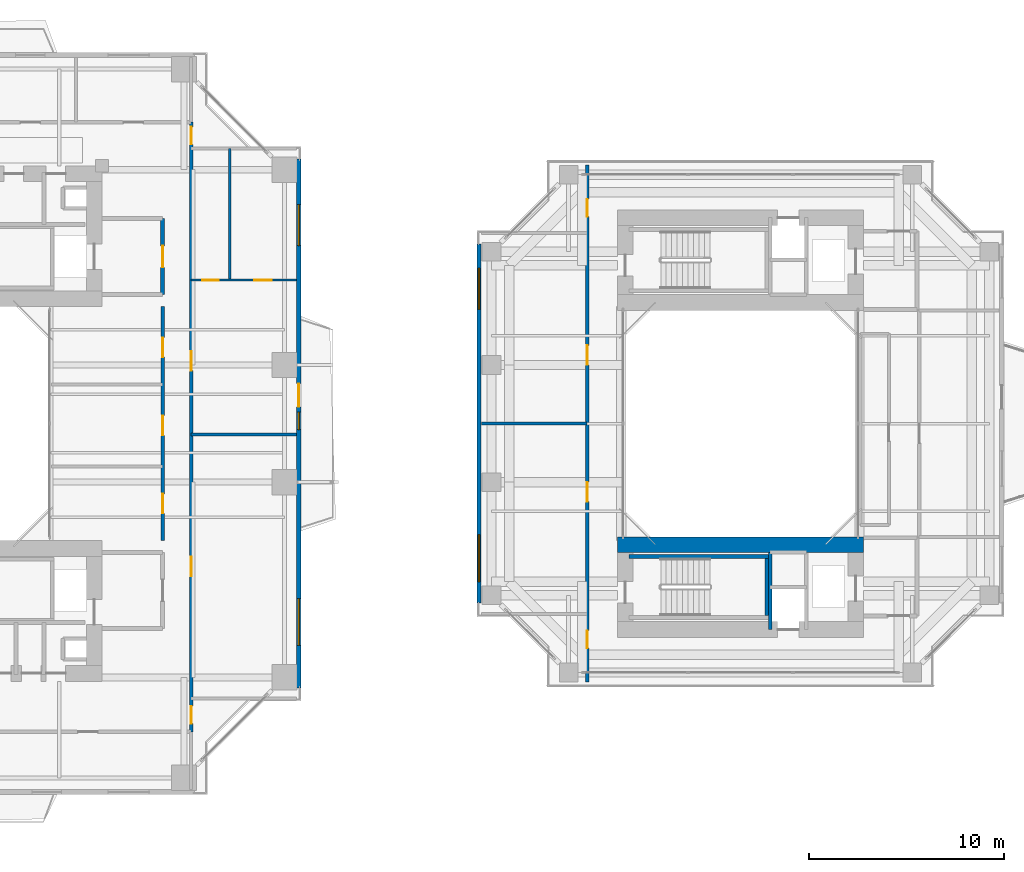
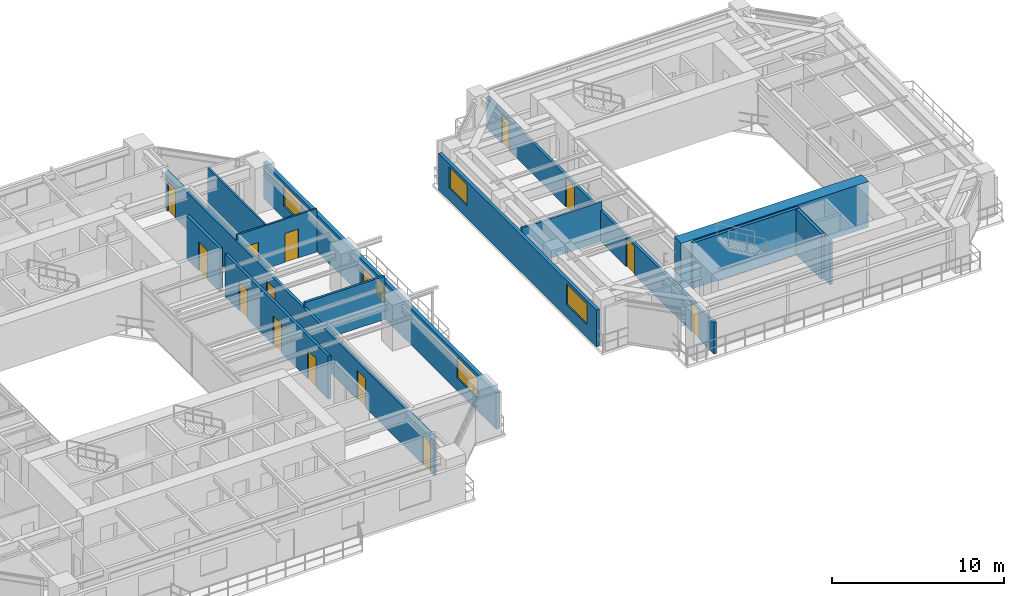
# One storey, part 16 of 23: 15 doors, 14 walls, 5 windows, 20 openings.
"""IFC4 building model written with IfcOpenShell, lengths in metres."""

from ifc_helpers import new_model, si_unit, direction, frame, frame_2d, origin, place, context, subcontext, project, spatial, rectangle, extrude, source, transform, mapped, material, layer, layer_set, type_object, element, fill, save


model = new_model("IFC4")

# Units and contexts
model_context = context("Model", 3, precision=1e-05, world=origin(), true_north=direction((0.0, 1.0)))
body_context = subcontext(model_context, "Body", "Model", "MODEL_VIEW")
ifc_project = project(units=[si_unit("LENGTHUNIT", "METRE"), si_unit("AREAUNIT", "SQUARE_METRE"), si_unit("VOLUMEUNIT", "CUBIC_METRE"), si_unit("PLANEANGLEUNIT", "RADIAN"), si_unit("MASSUNIT", "GRAM", prefix="KILO"), si_unit("THERMODYNAMICTEMPERATUREUNIT", "KELVIN"), si_unit("POWERUNIT", "WATT")], contexts=[model_context])

# Site, building, storey
site_placement = place(None, origin())
site = spatial("IfcSite", under=ifc_project, at=site_placement, CompositionType="ELEMENT")
building_placement = place(site_placement, origin())
building = spatial("IfcBuilding", under=site, at=building_placement, Name="Qiaomeng Ring Towers", CompositionType="ELEMENT")
storey_placement = place(building_placement, frame((0.0, 0.0, 66.5)))
storey = spatial("IfcBuildingStorey", under=building, at=storey_placement, Name="L18", CompositionType="ELEMENT", Elevation=66.5)

# Wall, openings, windows, door
ifc_material_1 = material(Name="Precast concrete C40", Category="concrete")
ifc_layer_1 = layer(ifc_material_1, 0.25, Name="Precast concrete C40")
ifc_layer_set_1 = layer_set([ifc_layer_1], Name="Precast concrete C40")
wall_type_1 = type_object("IfcWallType", Name="ARC-WL-EW1", PredefinedType="STANDARD", material=ifc_layer_set_1)
wall_1_placement = place(storey_placement, frame((37.875, 9.449951171875, 0.0), z_axis=(0.0, 0.0, 1.0), x_axis=(0.0, 1.0, 0.0)))
wall_1 = element("IfcWall", 1, at=wall_1_placement, inside=storey, type_object=wall_type_1, Name="L18 Tower 1 E Exterior Wall", PredefinedType="STANDARD", context=body_context, shape_type="SweptSolid", body=[
    extrude(rectangle(XDim=27.10009765625, YDim=0.25, at=frame_2d((13.550048828125, 0.0))), origin(), (0.0, 0.0, 1.0), 2.610107421875),
])
opening_1_placement = place(wall_1_placement, frame((14.39990234375, 0.0, 0.0)))
opening_1 = element("IfcOpeningElement", 2, at=opening_1_placement, cuts=wall_1, Name="Opening BD1", PredefinedType="OPENING", context=body_context, shape_type="SweptSolid", body=[
    extrude(rectangle(XDim=1.199951171875, YDim=2.10009765625, at=frame_2d((0.60009765625, 1.050048828125))), frame((0.0, 0.135009765625, 0.0), z_axis=(0.0, -1.0, 0.0), x_axis=(1.0, 0.0, 0.0)), (0.0, 0.0, 1.0), 0.27001953125),
])
opening_2_placement = place(wall_1_placement, frame((2.18798828125, 0.0, 0.89990234375)))
opening_2 = element("IfcOpeningElement", 3, at=opening_2_placement, cuts=wall_1, Name="Opening WN6", PredefinedType="OPENING", context=body_context, shape_type="SweptSolid", body=[
    extrude(rectangle(XDim=2.39990234375, YDim=1.47998046875, at=frame_2d((1.199951171875, 0.739990234375))), frame((0.0, 0.135009765625, 0.0), z_axis=(0.0, -1.0, 0.0), x_axis=(1.0, 0.0, 0.0)), (0.0, 0.0, 1.0), 0.27001953125),
])
opening_3_placement = place(wall_1_placement, frame((22.6630859375, 0.0, 0.89990234375)))
opening_3 = element("IfcOpeningElement", 4, at=opening_3_placement, cuts=wall_1, Name="Opening WN4", PredefinedType="OPENING", context=body_context, shape_type="SweptSolid", body=[
    extrude(rectangle(XDim=2.10009765625, YDim=1.47998046875, at=frame_2d((1.050048828125, 0.739990234375))), frame((0.0, 0.135009765625, 0.0), z_axis=(0.0, -1.0, 0.0), x_axis=(1.0, 0.0, 0.0)), (0.0, 0.0, 1.0), 0.27001953125),
])
opening_4_placement = place(wall_1_placement, frame((13.235107421875, 0.0, 0.89990234375)))
opening_4 = element("IfcOpeningElement", 5, at=opening_4_placement, cuts=wall_1, Name="Opening WN5", PredefinedType="OPENING", context=body_context, shape_type="SweptSolid", body=[
    extrude(rectangle(XDim=0.89990234375, YDim=1.199951171875, at=frame_2d((0.449951171875, 0.60009765625))), frame((0.0, 0.135009765625, 0.0), z_axis=(0.0, -1.0, 0.0), x_axis=(1.0, 0.0, 0.0)), (0.0, 0.0, 1.0), 0.27001953125),
])
ifc_material_2 = material(Name="Low-E dark-grey laminated double glazing", Category="glass")
window_type_1 = type_object("IfcWindowType", Name="ARC-WN-4", PartitioningType="TRIPLE_PANEL_VERTICAL", PredefinedType="WINDOW", material=ifc_material_2)
shared_shape_1 = source(origin(), body_context, "Body", "SweptSolid", [
    extrude(rectangle(XDim=2.10009765625, YDim=1.47998046875, at=frame_2d((1.050048828125, 0.739990234375))), frame((0.0, 0.030029296875, 0.0), z_axis=(0.0, -1.0, 0.0), x_axis=(1.0, 0.0, 0.0)), (0.0, 0.0, 1.0), 0.06005859375),
])
window_1_placement = place(opening_3_placement, origin())
window_1 = element("IfcWindow", 6, at=window_1_placement, inside=storey, type_object=window_type_1, Name="L18 Exterior Window WN4", OverallHeight=1.47998046875, OverallWidth=2.10009765625, PartitioningType="TRIPLE_PANEL_VERTICAL", PredefinedType="WINDOW", context=body_context, shape_type="MappedRepresentation", body=[
    mapped(shared_shape_1, transform((0.0, 0.0, 0.0), x_axis=(1.0, 0.0, 0.0), y_axis=(0.0, 1.0, 0.0), z_axis=(0.0, 0.0, 1.0), scale=1.0)),
])
fill(opening_3, window_1)
window_type_2 = type_object("IfcWindowType", Name="ARC-WN-6", PartitioningType="TRIPLE_PANEL_VERTICAL", PredefinedType="WINDOW", material=ifc_material_2)
shared_shape_2 = source(origin(), body_context, "Body", "SweptSolid", [
    extrude(rectangle(XDim=2.39990234375, YDim=1.47998046875, at=frame_2d((1.199951171875, 0.739990234375))), frame((0.0, 0.030029296875, 0.0), z_axis=(0.0, -1.0, 0.0), x_axis=(1.0, 0.0, 0.0)), (0.0, 0.0, 1.0), 0.06005859375),
])
window_2_placement = place(opening_2_placement, origin())
window_2 = element("IfcWindow", 7, at=window_2_placement, inside=storey, type_object=window_type_2, Name="L18 Exterior Window WN6", OverallHeight=1.47998046875, OverallWidth=2.39990234375, PartitioningType="TRIPLE_PANEL_VERTICAL", PredefinedType="WINDOW", context=body_context, shape_type="MappedRepresentation", body=[
    mapped(shared_shape_2, transform((0.0, 0.0, 0.0), x_axis=(1.0, 0.0, 0.0), y_axis=(0.0, 1.0, 0.0), z_axis=(0.0, 0.0, 1.0), scale=1.0)),
])
fill(opening_2, window_2)
door_type_1 = type_object("IfcDoorType", Name="ARC-DR-BD1", OperationType="NOTDEFINED", PredefinedType="DOOR", material=ifc_material_2)
shared_shape_3 = source(origin(), body_context, "Body", "SweptSolid", [
    extrude(rectangle(XDim=1.199951171875, YDim=2.10009765625, at=frame_2d((0.60009765625, 1.050048828125))), frame((0.0, 0.02490234375, 0.0), z_axis=(0.0, -1.0, 0.0), x_axis=(1.0, 0.0, 0.0)), (0.0, 0.0, 1.0), 0.050048828125),
])
door_1_placement = place(opening_1_placement, origin())
door_1 = element("IfcDoor", 8, at=door_1_placement, inside=storey, type_object=door_type_1, Name="L18 E Balcony Glazed Door", OperationType="SINGLE_SWING_LEFT", OverallHeight=2.10009765625, OverallWidth=1.199951171875, PredefinedType="DOOR", context=body_context, shape_type="MappedRepresentation", body=[
    mapped(shared_shape_3, transform((0.0, 0.0, 0.0), x_axis=(1.0, 0.0, 0.0), y_axis=(0.0, 1.0, 0.0), z_axis=(0.0, 0.0, 1.0), scale=1.0)),
])
fill(opening_1, door_1)
window_type_3 = type_object("IfcWindowType", Name="ARC-WN-5", PartitioningType="SINGLE_PANEL", PredefinedType="WINDOW", material=ifc_material_2)
shared_shape_4 = source(origin(), body_context, "Body", "SweptSolid", [
    extrude(rectangle(XDim=0.89990234375, YDim=1.199951171875, at=frame_2d((0.449951171875, 0.60009765625))), frame((0.0, 0.030029296875, 0.0), z_axis=(0.0, -1.0, 0.0), x_axis=(1.0, 0.0, 0.0)), (0.0, 0.0, 1.0), 0.06005859375),
])
window_3_placement = place(opening_4_placement, origin())
window_3 = element("IfcWindow", 9, at=window_3_placement, inside=storey, type_object=window_type_3, Name="L18 Exterior Window WN5", OverallHeight=1.199951171875, OverallWidth=0.89990234375, PartitioningType="SINGLE_PANEL", PredefinedType="WINDOW", context=body_context, shape_type="MappedRepresentation", body=[
    mapped(shared_shape_4, transform((0.0, 0.0, 0.0), x_axis=(1.0, 0.0, 0.0), y_axis=(0.0, 1.0, 0.0), z_axis=(0.0, 0.0, 1.0), scale=1.0)),
])
fill(opening_4, window_3)

# Wall, openings, windows
ifc_layer_2 = layer(ifc_material_1, 0.219970703125, Name="Precast concrete C40")
ifc_layer_set_2 = layer_set([ifc_layer_2], Name="Precast concrete C40")
wall_type_2 = type_object("IfcWallType", Name="ARC-WL-EW2", PredefinedType="STANDARD", material=ifc_layer_set_2)
wall_2_placement = place(storey_placement, frame((47.110107421875, 13.800048828125, 0.0), z_axis=(0.0, 0.0, 1.0), x_axis=(0.0, 1.0, 0.0)))
wall_2 = element("IfcWall", 10, at=wall_2_placement, inside=storey, type_object=wall_type_2, Name="L18 Companion West Wall", PredefinedType="STANDARD", context=body_context, shape_type="SweptSolid", body=[
    extrude(rectangle(XDim=18.39990234375, YDim=0.219970703125, at=frame_2d((9.199951171875, 0.0))), origin(), (0.0, 0.0, 1.0), 2.610107421875),
])
opening_5_placement = place(wall_2_placement, frame((1.10009765625, 0.0, 0.89990234375)))
opening_5 = element("IfcOpeningElement", 11, at=opening_5_placement, cuts=wall_2, Name="Opening WN6", PredefinedType="OPENING", context=body_context, shape_type="SweptSolid", body=[
    extrude(rectangle(XDim=2.39990234375, YDim=1.47998046875, at=frame_2d((1.199951171875, 0.739990234375))), frame((0.0, 0.119873046875, 0.0), z_axis=(0.0, -1.0, 0.0), x_axis=(1.0, 0.0, 0.0)), (0.0, 0.0, 1.0), 0.239990234375),
])
opening_6_placement = place(wall_2_placement, frame((15.050048828125, 0.0, 0.89990234375)))
opening_6 = element("IfcOpeningElement", 12, at=opening_6_placement, cuts=wall_2, Name="Opening WN4", PredefinedType="OPENING", context=body_context, shape_type="SweptSolid", body=[
    extrude(rectangle(XDim=2.10009765625, YDim=1.47998046875, at=frame_2d((1.050048828125, 0.739990234375))), frame((0.0, 0.119873046875, 0.0), z_axis=(0.0, -1.0, 0.0), x_axis=(1.0, 0.0, 0.0)), (0.0, 0.0, 1.0), 0.239990234375),
])
window_4_placement = place(opening_6_placement, origin())
window_4 = element("IfcWindow", 13, at=window_4_placement, inside=storey, type_object=window_type_1, Name="L18 Exterior Window WN4", OverallHeight=1.47998046875, OverallWidth=2.10009765625, PartitioningType="TRIPLE_PANEL_VERTICAL", PredefinedType="WINDOW", context=body_context, shape_type="MappedRepresentation", body=[
    mapped(shared_shape_1, transform((0.0, 0.0, 0.0), x_axis=(1.0, 0.0, 0.0), y_axis=(0.0, 1.0, 0.0), z_axis=(0.0, 0.0, 1.0), scale=1.0)),
])
fill(opening_6, window_4)
window_5_placement = place(opening_5_placement, origin())
window_5 = element("IfcWindow", 14, at=window_5_placement, inside=storey, type_object=window_type_2, Name="L18 Exterior Window WN6", OverallHeight=1.47998046875, OverallWidth=2.39990234375, PartitioningType="TRIPLE_PANEL_VERTICAL", PredefinedType="WINDOW", context=body_context, shape_type="MappedRepresentation", body=[
    mapped(shared_shape_2, transform((0.0, 0.0, 0.0), x_axis=(1.0, 0.0, 0.0), y_axis=(0.0, 1.0, 0.0), z_axis=(0.0, 0.0, 1.0), scale=1.0)),
])
fill(opening_5, window_5)

# Wall, opening, door
ifc_material_3 = material(Name="Autoclaved aerated concrete block", Category="concrete")
ifc_layer_3 = layer(ifc_material_3, 0.199951171875, Name="Autoclaved aerated concrete block")
ifc_layer_set_3 = layer_set([ifc_layer_3], Name="Autoclaved aerated concrete block")
wall_type_3 = type_object("IfcWallType", Name="ARC-WL-PW1", PredefinedType="PARTITIONING", material=ifc_layer_set_3)
wall_3_placement = place(storey_placement, frame((30.89990234375, 29.60009765625, 0.0), z_axis=(0.0, 0.0, 1.0), x_axis=(0.0, 1.0, 0.0)))
wall_3 = element("IfcWall", 15, at=wall_3_placement, inside=storey, type_object=wall_type_3, Name="L18 Interior Wall PW1", PredefinedType="PARTITIONING", context=body_context, shape_type="SweptSolid", body=[
    extrude(rectangle(XDim=3.89990234375, YDim=0.199951171875, at=frame_2d((1.949951171875, 0.0))), origin(), (0.0, 0.0, 1.0), 3.070068359375),
])
opening_7_placement = place(wall_3_placement, frame((1.39990234375, 0.0, 0.0)))
opening_7 = element("IfcOpeningElement", 16, at=opening_7_placement, cuts=wall_3, Name="Opening FD3", PredefinedType="OPENING", context=body_context, shape_type="SweptSolid", body=[
    extrude(rectangle(XDim=1.10009765625, YDim=2.050048828125, at=frame_2d((0.550048828125, 1.02490234375))), frame((0.0, 0.10986328125, 0.0), z_axis=(0.0, -1.0, 0.0), x_axis=(1.0, 0.0, 0.0)), (0.0, 0.0, 1.0), 0.219970703125),
])
ifc_material_4 = material(Name="Galvanised steel", Category="steel")
door_type_2 = type_object("IfcDoorType", Name="ARC-DR-FD3", OperationType="NOTDEFINED", PredefinedType="DOOR", material=ifc_material_4)
shared_shape_5 = source(origin(), body_context, "Body", "SweptSolid", [
    extrude(rectangle(XDim=1.10009765625, YDim=2.050048828125, at=frame_2d((0.550048828125, 1.02490234375))), frame((0.0, 0.02490234375, 0.0), z_axis=(0.0, -1.0, 0.0), x_axis=(1.0, 0.0, 0.0)), (0.0, 0.0, 1.0), 0.050048828125),
])
door_2_placement = place(opening_7_placement, origin())
door_2 = element("IfcDoor", 17, at=door_2_placement, inside=storey, type_object=door_type_2, Name="L18 North FF Lobby Door", OperationType="SINGLE_SWING_LEFT", OverallHeight=2.050048828125, OverallWidth=1.10009765625, PredefinedType="DOOR", context=body_context, shape_type="MappedRepresentation", body=[
    mapped(shared_shape_5, transform((0.0, 0.0, 0.0), x_axis=(1.0, 0.0, 0.0), y_axis=(0.0, 1.0, 0.0), z_axis=(0.0, 0.0, 1.0), scale=1.0)),
])
fill(opening_7, door_2)

# Wall, openings, doors
ifc_layer_4 = layer(ifc_material_3, 0.179931640625, Name="Autoclaved aerated concrete block")
ifc_layer_set_4 = layer_set([ifc_layer_4], Name="Autoclaved aerated concrete block")
wall_type_4 = type_object("IfcWallType", Name="ARC-WL-PW2", PredefinedType="PARTITIONING", material=ifc_layer_set_4)
wall_4_placement = place(storey_placement, frame((32.360107421875, 7.2099609375, 0.0), z_axis=(0.0, 0.0, 1.0), x_axis=(0.0, 1.0, 0.0)))
wall_4 = element("IfcWall", 18, at=wall_4_placement, inside=storey, type_object=wall_type_4, Name="L18 Interior Wall PW2", PredefinedType="PARTITIONING", context=body_context, shape_type="SweptSolid", body=[
    extrude(rectangle(XDim=31.22998046875, YDim=0.179931640625, at=frame_2d((15.614990234375, 0.0))), origin(), (0.0, 0.0, 1.0), 2.715087890625),
])
opening_8_placement = place(wall_4_placement, frame((30.090087890625, 0.0, 0.0)))
opening_8 = element("IfcOpeningElement", 19, at=opening_8_placement, cuts=wall_4, Name="Opening ID1", PredefinedType="OPENING", context=body_context, shape_type="SweptSolid", body=[
    extrude(rectangle(XDim=0.89990234375, YDim=2.050048828125, at=frame_2d((0.449951171875, 1.02490234375))), frame((0.0, 0.099853515625, 0.0), z_axis=(0.0, -1.0, 0.0), x_axis=(1.0, 0.0, 0.0)), (0.0, 0.0, 1.0), 0.199951171875),
])
opening_9_placement = place(wall_4_placement, frame((0.4150390625, 0.0, 0.0)))
opening_9 = element("IfcOpeningElement", 20, at=opening_9_placement, cuts=wall_4, Name="Opening ID1", PredefinedType="OPENING", context=body_context, shape_type="SweptSolid", body=[
    extrude(rectangle(XDim=0.89990234375, YDim=2.050048828125, at=frame_2d((0.449951171875, 1.02490234375))), frame((0.0, 0.099853515625, 0.0), z_axis=(0.0, -1.0, 0.0), x_axis=(1.0, 0.0, 0.0)), (0.0, 0.0, 1.0), 0.199951171875),
])
opening_10_placement = place(wall_4_placement, frame((7.97509765625, 0.0, 0.0)))
opening_10 = element("IfcOpeningElement", 21, at=opening_10_placement, cuts=wall_4, Name="Opening FD4", PredefinedType="OPENING", context=body_context, shape_type="SweptSolid", body=[
    extrude(rectangle(XDim=1.0, YDim=2.050048828125, at=frame_2d((0.5, 1.02490234375))), frame((0.0, 0.099853515625, 0.0), z_axis=(0.0, -1.0, 0.0), x_axis=(1.0, 0.0, 0.0)), (0.0, 0.0, 1.0), 0.199951171875),
])
opening_11_placement = place(wall_4_placement, frame((18.5, 0.0, 0.0)))
opening_11 = element("IfcOpeningElement", 22, at=opening_11_placement, cuts=wall_4, Name="Opening FD4", PredefinedType="OPENING", context=body_context, shape_type="SweptSolid", body=[
    extrude(rectangle(XDim=1.0, YDim=2.050048828125, at=frame_2d((0.5, 1.02490234375))), frame((0.0, 0.099853515625, 0.0), z_axis=(0.0, -1.0, 0.0), x_axis=(1.0, 0.0, 0.0)), (0.0, 0.0, 1.0), 0.199951171875),
])
ifc_material_5 = material(Name="Engineered fire-rated oak timber", Category="wood")
door_type_3 = type_object("IfcDoorType", Name="ARC-DR-FD4", OperationType="NOTDEFINED", PredefinedType="DOOR", material=ifc_material_5)
shared_shape_6 = source(origin(), body_context, "Body", "SweptSolid", [
    extrude(rectangle(XDim=1.0, YDim=2.050048828125, at=frame_2d((0.5, 1.02490234375))), frame((0.0, 0.02490234375, 0.0), z_axis=(0.0, -1.0, 0.0), x_axis=(1.0, 0.0, 0.0)), (0.0, 0.0, 1.0), 0.050048828125),
])
door_3_placement = place(opening_10_placement, origin())
door_3 = element("IfcDoor", 23, at=door_3_placement, inside=storey, type_object=door_type_3, Name="L18 Door FD4", OperationType="SINGLE_SWING_LEFT", OverallHeight=2.050048828125, OverallWidth=1.0, PredefinedType="DOOR", context=body_context, shape_type="MappedRepresentation", body=[
    mapped(shared_shape_6, transform((0.0, 0.0, 0.0), x_axis=(1.0, 0.0, 0.0), y_axis=(0.0, 1.0, 0.0), z_axis=(0.0, 0.0, 1.0), scale=1.0)),
])
fill(opening_10, door_3)
door_4_placement = place(opening_11_placement, origin())
door_4 = element("IfcDoor", 24, at=door_4_placement, inside=storey, type_object=door_type_3, Name="L18 Door FD4", OperationType="SINGLE_SWING_RIGHT", OverallHeight=2.050048828125, OverallWidth=1.0, PredefinedType="DOOR", context=body_context, shape_type="MappedRepresentation", body=[
    mapped(shared_shape_6, transform((0.0, 0.0, 0.0), x_axis=(1.0, 0.0, 0.0), y_axis=(0.0, 1.0, 0.0), z_axis=(0.0, 0.0, 1.0), scale=1.0)),
])
fill(opening_11, door_4)
ifc_material_6 = material(Name="Engineered oak timber", Category="wood")
door_type_4 = type_object("IfcDoorType", Name="ARC-DR-ID1", OperationType="NOTDEFINED", PredefinedType="DOOR", material=ifc_material_6)
shared_shape_7 = source(origin(), body_context, "Body", "SweptSolid", [
    extrude(rectangle(XDim=0.89990234375, YDim=2.050048828125, at=frame_2d((0.449951171875, 1.02490234375))), frame((0.0, 0.02490234375, 0.0), z_axis=(0.0, -1.0, 0.0), x_axis=(1.0, 0.0, 0.0)), (0.0, 0.0, 1.0), 0.050048828125),
])
door_5_placement = place(opening_8_placement, origin())
door_5 = element("IfcDoor", 25, at=door_5_placement, inside=storey, type_object=door_type_4, Name="L18 Door ID1", OperationType="SINGLE_SWING_LEFT", OverallHeight=2.050048828125, OverallWidth=0.89990234375, PredefinedType="DOOR", context=body_context, shape_type="MappedRepresentation", body=[
    mapped(shared_shape_7, transform((0.0, 0.0, 0.0), x_axis=(1.0, 0.0, 0.0), y_axis=(0.0, 1.0, 0.0), z_axis=(0.0, 0.0, 1.0), scale=1.0)),
])
fill(opening_8, door_5)
door_6_placement = place(opening_9_placement, origin())
door_6 = element("IfcDoor", 26, at=door_6_placement, inside=storey, type_object=door_type_4, Name="L18 Door ID1", OperationType="SINGLE_SWING_RIGHT", OverallHeight=2.050048828125, OverallWidth=0.89990234375, PredefinedType="DOOR", context=body_context, shape_type="MappedRepresentation", body=[
    mapped(shared_shape_7, transform((0.0, 0.0, 0.0), x_axis=(1.0, 0.0, 0.0), y_axis=(0.0, 1.0, 0.0), z_axis=(0.0, 0.0, 1.0), scale=1.0)),
])
fill(opening_9, door_6)

wall_5_placement = place(storey_placement, frame((30.89990234375, 17.0, 0.0), z_axis=(0.0, 0.0, 1.0), x_axis=(0.0, 1.0, 0.0)))
wall_5 = element("IfcWall", 27, at=wall_5_placement, inside=storey, type_object=wall_type_4, Name="L18 Interior Wall PW2", PredefinedType="PARTITIONING", context=body_context, shape_type="SweptSolid", body=[
    extrude(rectangle(XDim=12.0, YDim=0.179931640625, at=frame_2d((6.0, 0.0))), origin(), (0.0, 0.0, 1.0), 3.070068359375),
])
opening_12_placement = place(wall_5_placement, frame((1.39990234375, 0.0, 0.0)))
opening_12 = element("IfcOpeningElement", 28, at=opening_12_placement, cuts=wall_5, Name="Opening FD4", PredefinedType="OPENING", context=body_context, shape_type="SweptSolid", body=[
    extrude(rectangle(XDim=1.0, YDim=2.050048828125, at=frame_2d((0.5, 1.02490234375))), frame((0.0, 0.099853515625, 0.0), z_axis=(0.0, -1.0, 0.0), x_axis=(1.0, 0.0, 0.0)), (0.0, 0.0, 1.0), 0.199951171875),
])
opening_13_placement = place(wall_5_placement, frame((5.39990234375, 0.0, 0.0)))
opening_13 = element("IfcOpeningElement", 29, at=opening_13_placement, cuts=wall_5, Name="Opening FD4", PredefinedType="OPENING", context=body_context, shape_type="SweptSolid", body=[
    extrude(rectangle(XDim=1.0, YDim=2.050048828125, at=frame_2d((0.5, 1.02490234375))), frame((0.0, 0.099853515625, 0.0), z_axis=(0.0, -1.0, 0.0), x_axis=(1.0, 0.0, 0.0)), (0.0, 0.0, 1.0), 0.199951171875),
])
opening_14_placement = place(wall_5_placement, frame((9.39990234375, 0.0, 0.0)))
opening_14 = element("IfcOpeningElement", 30, at=opening_14_placement, cuts=wall_5, Name="Opening FD4", PredefinedType="OPENING", context=body_context, shape_type="SweptSolid", body=[
    extrude(rectangle(XDim=1.0, YDim=2.050048828125, at=frame_2d((0.5, 1.02490234375))), frame((0.0, 0.099853515625, 0.0), z_axis=(0.0, -1.0, 0.0), x_axis=(1.0, 0.0, 0.0)), (0.0, 0.0, 1.0), 0.199951171875),
])
door_7_placement = place(opening_12_placement, origin())
door_7 = element("IfcDoor", 31, at=door_7_placement, inside=storey, type_object=door_type_3, Name="L18 Door FD4", OperationType="SINGLE_SWING_LEFT", OverallHeight=2.050048828125, OverallWidth=1.0, PredefinedType="DOOR", context=body_context, shape_type="MappedRepresentation", body=[
    mapped(shared_shape_6, transform((0.0, 0.0, 0.0), x_axis=(1.0, 0.0, 0.0), y_axis=(0.0, 1.0, 0.0), z_axis=(0.0, 0.0, 1.0), scale=1.0)),
])
fill(opening_12, door_7)
door_8_placement = place(opening_13_placement, origin())
door_8 = element("IfcDoor", 32, at=door_8_placement, inside=storey, type_object=door_type_3, Name="L18 Door FD4", OperationType="SINGLE_SWING_RIGHT", OverallHeight=2.050048828125, OverallWidth=1.0, PredefinedType="DOOR", context=body_context, shape_type="MappedRepresentation", body=[
    mapped(shared_shape_6, transform((0.0, 0.0, 0.0), x_axis=(1.0, 0.0, 0.0), y_axis=(0.0, 1.0, 0.0), z_axis=(0.0, 0.0, 1.0), scale=1.0)),
])
fill(opening_13, door_8)
door_9_placement = place(opening_14_placement, origin())
door_9 = element("IfcDoor", 33, at=door_9_placement, inside=storey, type_object=door_type_3, Name="L18 Door FD4", OperationType="SINGLE_SWING_LEFT", OverallHeight=2.050048828125, OverallWidth=1.0, PredefinedType="DOOR", context=body_context, shape_type="MappedRepresentation", body=[
    mapped(shared_shape_6, transform((0.0, 0.0, 0.0), x_axis=(1.0, 0.0, 0.0), y_axis=(0.0, 1.0, 0.0), z_axis=(0.0, 0.0, 1.0), scale=1.0)),
])
fill(opening_14, door_9)

wall_6_placement = place(storey_placement, frame((52.64990234375, 9.75, 0.0), z_axis=(0.0, 0.0, 1.0), x_axis=(0.0, 1.0, 0.0)))
wall_6 = element("IfcWall", 34, at=wall_6_placement, inside=storey, type_object=wall_type_4, Name="L18 Interior Wall PW2", PredefinedType="PARTITIONING", context=body_context, shape_type="SweptSolid", body=[
    extrude(rectangle(XDim=26.5, YDim=0.179931640625, at=frame_2d((13.25, 0.0))), origin(), (0.0, 0.0, 1.0), 2.215087890625),
])
opening_15_placement = place(wall_6_placement, frame((23.85009765625, 0.0, 0.0)))
opening_15 = element("IfcOpeningElement", 35, at=opening_15_placement, cuts=wall_6, Name="Opening ID1", PredefinedType="OPENING", context=body_context, shape_type="SweptSolid", body=[
    extrude(rectangle(XDim=0.89990234375, YDim=2.050048828125, at=frame_2d((0.449951171875, 1.02490234375))), frame((0.0, 0.099853515625, 0.0), z_axis=(0.0, -1.0, 0.0), x_axis=(1.0, 0.0, 0.0)), (0.0, 0.0, 1.0), 0.199951171875),
])
opening_16_placement = place(wall_6_placement, frame((1.75, 0.0, 0.0)))
opening_16 = element("IfcOpeningElement", 36, at=opening_16_placement, cuts=wall_6, Name="Opening ID1", PredefinedType="OPENING", context=body_context, shape_type="SweptSolid", body=[
    extrude(rectangle(XDim=0.89990234375, YDim=2.050048828125, at=frame_2d((0.449951171875, 1.02490234375))), frame((0.0, 0.099853515625, 0.0), z_axis=(0.0, -1.0, 0.0), x_axis=(1.0, 0.0, 0.0)), (0.0, 0.0, 1.0), 0.199951171875),
])
opening_17_placement = place(wall_6_placement, frame((9.25, 0.0, 0.0)))
opening_17 = element("IfcOpeningElement", 37, at=opening_17_placement, cuts=wall_6, Name="Opening FD4", PredefinedType="OPENING", context=body_context, shape_type="SweptSolid", body=[
    extrude(rectangle(XDim=1.0, YDim=2.050048828125, at=frame_2d((0.5, 1.02490234375))), frame((0.0, 0.099853515625, 0.0), z_axis=(0.0, -1.0, 0.0), x_axis=(1.0, 0.0, 0.0)), (0.0, 0.0, 1.0), 0.199951171875),
])
opening_18_placement = place(wall_6_placement, frame((16.25, 0.0, 0.0)))
opening_18 = element("IfcOpeningElement", 38, at=opening_18_placement, cuts=wall_6, Name="Opening FD4", PredefinedType="OPENING", context=body_context, shape_type="SweptSolid", body=[
    extrude(rectangle(XDim=1.0, YDim=2.050048828125, at=frame_2d((0.5, 1.02490234375))), frame((0.0, 0.099853515625, 0.0), z_axis=(0.0, -1.0, 0.0), x_axis=(1.0, 0.0, 0.0)), (0.0, 0.0, 1.0), 0.199951171875),
])
door_10_placement = place(opening_17_placement, origin())
door_10 = element("IfcDoor", 39, at=door_10_placement, inside=storey, type_object=door_type_3, Name="L18 Door FD4", OperationType="SINGLE_SWING_RIGHT", OverallHeight=2.050048828125, OverallWidth=1.0, PredefinedType="DOOR", context=body_context, shape_type="MappedRepresentation", body=[
    mapped(shared_shape_6, transform((0.0, 0.0, 0.0), x_axis=(1.0, 0.0, 0.0), y_axis=(0.0, 1.0, 0.0), z_axis=(0.0, 0.0, 1.0), scale=1.0)),
])
fill(opening_17, door_10)
door_11_placement = place(opening_18_placement, origin())
door_11 = element("IfcDoor", 40, at=door_11_placement, inside=storey, type_object=door_type_3, Name="L18 Door FD4", OperationType="SINGLE_SWING_LEFT", OverallHeight=2.050048828125, OverallWidth=1.0, PredefinedType="DOOR", context=body_context, shape_type="MappedRepresentation", body=[
    mapped(shared_shape_6, transform((0.0, 0.0, 0.0), x_axis=(1.0, 0.0, 0.0), y_axis=(0.0, 1.0, 0.0), z_axis=(0.0, 0.0, 1.0), scale=1.0)),
])
fill(opening_18, door_11)
door_12_placement = place(opening_15_placement, origin())
door_12 = element("IfcDoor", 41, at=door_12_placement, inside=storey, type_object=door_type_4, Name="L18 Door ID1", OperationType="SINGLE_SWING_RIGHT", OverallHeight=2.050048828125, OverallWidth=0.89990234375, PredefinedType="DOOR", context=body_context, shape_type="MappedRepresentation", body=[
    mapped(shared_shape_7, transform((0.0, 0.0, 0.0), x_axis=(1.0, 0.0, 0.0), y_axis=(0.0, 1.0, 0.0), z_axis=(0.0, 0.0, 1.0), scale=1.0)),
])
fill(opening_15, door_12)
door_13_placement = place(opening_16_placement, origin())
door_13 = element("IfcDoor", 42, at=door_13_placement, inside=storey, type_object=door_type_4, Name="L18 Door ID1", OperationType="SINGLE_SWING_LEFT", OverallHeight=2.050048828125, OverallWidth=0.89990234375, PredefinedType="DOOR", context=body_context, shape_type="MappedRepresentation", body=[
    mapped(shared_shape_7, transform((0.0, 0.0, 0.0), x_axis=(1.0, 0.0, 0.0), y_axis=(0.0, 1.0, 0.0), z_axis=(0.0, 0.0, 1.0), scale=1.0)),
])
fill(opening_16, door_13)

# Walls
ifc_material_7 = material(Name="Gypsum fireboard steel-stud partition", Category="steel")
ifc_layer_5 = layer(ifc_material_7, 0.14990234375, Name="Gypsum fireboard steel-stud partition")
ifc_layer_set_5 = layer_set([ifc_layer_5], Name="Gypsum fireboard steel-stud partition")
wall_type_5 = type_object("IfcWallType", Name="ARC-WL-PW3", PredefinedType="PARTITIONING", material=ifc_layer_set_5)
wall_7_placement = place(storey_placement, frame((32.360107421875, 22.449951171875, 0.0), z_axis=(0.0, 0.0, 1.0), x_axis=(1.0, 0.0, 0.0)))
element("IfcWall", 43, at=wall_7_placement, inside=storey, type_object=wall_type_5, Name="L18 Interior Wall PW3", PredefinedType="PARTITIONING", context=body_context, shape_type="SweptSolid", body=[
    extrude(rectangle(XDim=5.389892578125, YDim=0.14990234375, at=frame_2d((2.69482421875, 0.0))), origin(), (0.0, 0.0, 1.0), 3.070068359375),
])
wall_8_placement = place(storey_placement, frame((47.25, 23.0, 0.0), z_axis=(0.0, 0.0, 1.0), x_axis=(1.0, 0.0, 0.0)))
element("IfcWall", 44, at=wall_8_placement, inside=storey, type_object=wall_type_5, Name="L18 Interior Wall PW3", PredefinedType="PARTITIONING", context=body_context, shape_type="SweptSolid", body=[
    extrude(rectangle(XDim=5.39990234375, YDim=0.14990234375, at=frame_2d((2.699951171875, 0.0))), origin(), (0.0, 0.0, 1.0), 2.81494140625),
])

# Wall, openings, doors
ifc_material_8 = material(Name="Moisture-resistant gypsum steel-stud partition", Category="steel")
ifc_layer_6 = layer(ifc_material_8, 0.1201171875, Name="Moisture-resistant gypsum steel-stud partition")
ifc_layer_set_6 = layer_set([ifc_layer_6], Name="Moisture-resistant gypsum steel-stud partition")
wall_type_6 = type_object("IfcWallType", Name="ARC-WL-PW4", PredefinedType="PLUMBINGWALL", material=ifc_layer_set_6)
wall_9_placement = place(storey_placement, frame((32.360107421875, 30.35009765625, 0.0), z_axis=(0.0, 0.0, 1.0), x_axis=(1.0, 0.0, 0.0)))
wall_9 = element("IfcWall", 45, at=wall_9_placement, inside=storey, type_object=wall_type_6, Name="L18 Interior Wall PW4", PredefinedType="PLUMBINGWALL", context=body_context, shape_type="SweptSolid", body=[
    extrude(rectangle(XDim=5.389892578125, YDim=0.1201171875, at=frame_2d((2.69482421875, 0.0))), origin(), (0.0, 0.0, 1.0), 3.070068359375),
])
opening_19_placement = place(wall_9_placement, frame((0.580078125, 0.0, 0.0)))
opening_19 = element("IfcOpeningElement", 46, at=opening_19_placement, cuts=wall_9, Name="Opening ID2", PredefinedType="OPENING", context=body_context, shape_type="SweptSolid", body=[
    extrude(rectangle(XDim=0.85009765625, YDim=2.050048828125, at=frame_2d((0.425048828125, 1.02490234375))), frame((0.0, 0.070068359375, 0.0), z_axis=(0.0, -1.0, 0.0), x_axis=(1.0, 0.0, 0.0)), (0.0, 0.0, 1.0), 0.14013671875),
])
opening_20_placement = place(wall_9_placement, frame((3.22998046875, 0.0, 0.0)))
opening_20 = element("IfcOpeningElement", 47, at=opening_20_placement, cuts=wall_9, Name="Opening ID1", PredefinedType="OPENING", context=body_context, shape_type="SweptSolid", body=[
    extrude(rectangle(XDim=0.89990234375, YDim=2.050048828125, at=frame_2d((0.449951171875, 1.02490234375))), frame((0.0, 0.070068359375, 0.0), z_axis=(0.0, -1.0, 0.0), x_axis=(1.0, 0.0, 0.0)), (0.0, 0.0, 1.0), 0.14013671875),
])
ifc_material_9 = material(Name="Moisture-resistant engineered timber", Category="wood")
door_type_5 = type_object("IfcDoorType", Name="ARC-DR-ID2", OperationType="NOTDEFINED", PredefinedType="DOOR", material=ifc_material_9)
shared_shape_8 = source(origin(), body_context, "Body", "SweptSolid", [
    extrude(rectangle(XDim=0.85009765625, YDim=2.050048828125, at=frame_2d((0.425048828125, 1.02490234375))), frame((0.0, 0.02490234375, 0.0), z_axis=(0.0, -1.0, 0.0), x_axis=(1.0, 0.0, 0.0)), (0.0, 0.0, 1.0), 0.050048828125),
])
door_14_placement = place(opening_19_placement, origin())
door_14 = element("IfcDoor", 48, at=door_14_placement, inside=storey, type_object=door_type_5, Name="L18 Door ID2", OperationType="SINGLE_SWING_RIGHT", OverallHeight=2.050048828125, OverallWidth=0.85009765625, PredefinedType="DOOR", context=body_context, shape_type="MappedRepresentation", body=[
    mapped(shared_shape_8, transform((0.0, 0.0, 0.0), x_axis=(1.0, 0.0, 0.0), y_axis=(0.0, 1.0, 0.0), z_axis=(0.0, 0.0, 1.0), scale=1.0)),
])
fill(opening_19, door_14)
door_15_placement = place(opening_20_placement, origin())
door_15 = element("IfcDoor", 49, at=door_15_placement, inside=storey, type_object=door_type_4, Name="L18 Door ID1", OperationType="SINGLE_SWING_LEFT", OverallHeight=2.050048828125, OverallWidth=0.89990234375, PredefinedType="DOOR", context=body_context, shape_type="MappedRepresentation", body=[
    mapped(shared_shape_7, transform((0.0, 0.0, 0.0), x_axis=(1.0, 0.0, 0.0), y_axis=(0.0, 1.0, 0.0), z_axis=(0.0, 0.0, 1.0), scale=1.0)),
])
fill(opening_20, door_15)

# Walls
wall_10_placement = place(storey_placement, frame((34.35009765625, 30.35009765625, 0.0), z_axis=(0.0, 0.0, 1.0), x_axis=(0.0, 1.0, 0.0)))
element("IfcWall", 50, at=wall_10_placement, inside=storey, type_object=wall_type_6, Name="L18 Interior Wall PW4", PredefinedType="PLUMBINGWALL", context=body_context, shape_type="SweptSolid", body=[
    extrude(rectangle(XDim=6.72998046875, YDim=0.1201171875, at=frame_2d((3.364990234375, 0.0))), origin(), (0.0, 0.0, 1.0), 3.070068359375),
])
ifc_material_10 = material(Name="Concrete C40", Category="concrete")
ifc_layer_7 = layer(ifc_material_10, 0.199951171875, Name="Concrete C40")
ifc_layer_set_7 = layer_set([ifc_layer_7], Name="Concrete C40")
wall_type_7 = type_object("IfcWallType", Name="STR-WL-STSHAFT", PredefinedType="SHEAR", material=ifc_layer_set_7)
wall_11_placement = place(storey_placement, frame((62.02001953125, 12.449951171875, 0.0), z_axis=(0.0, 0.0, 1.0), x_axis=(0.0, 1.0, 0.0)))
element("IfcWall", 51, at=wall_11_placement, inside=storey, type_object=wall_type_7, Name="L18 Companion Lift Shaft West Wall S", PredefinedType="SHEAR", context=body_context, shape_type="SweptSolid", body=[
    extrude(rectangle(XDim=3.949951171875, YDim=0.179931640625, at=frame_2d((1.97509765625, 0.0))), origin(), (0.0, 0.0, 1.0), 3.070068359375),
])
wall_12_placement = place(storey_placement, frame((54.800048828125, 16.199951171875, 0.0), z_axis=(0.0, 0.0, 1.0), x_axis=(1.0, 0.0, 0.0)))
element("IfcWall", 52, at=wall_12_placement, inside=storey, type_object=wall_type_7, Name="L18 Stair ST6 North Shaft Shear Wall", PredefinedType="SHEAR", context=body_context, shape_type="SweptSolid", body=[
    extrude(rectangle(XDim=7.14990234375, YDim=0.199951171875, at=frame_2d((3.574951171875, 0.0))), origin(), (0.0, 0.0, 1.0), 3.25),
])
wall_13_placement = place(storey_placement, frame((61.85009765625, 13.159912109375, 0.0), z_axis=(0.0, 0.0, 1.0), x_axis=(0.0, 1.0, 0.0)))
element("IfcWall", 53, at=wall_13_placement, inside=storey, type_object=wall_type_7, Name="L18 Stair ST6 East Shaft Shear Wall", PredefinedType="SHEAR", context=body_context, shape_type="SweptSolid", body=[
    extrude(rectangle(XDim=2.940185546875, YDim=0.199951171875, at=frame_2d((1.47021484375, 0.0))), origin(), (0.0, 0.0, 1.0), 3.25),
])
ifc_material_11 = material(Name="Concrete C60", Category="concrete")
ifc_layer_8 = layer(ifc_material_11, 0.800048828125, Name="Concrete C60")
ifc_layer_set_8 = layer_set([ifc_layer_8], Name="Concrete C60")
wall_type_8 = type_object("IfcWallType", Name="STR-WL-SW1", PredefinedType="SHEAR", material=ifc_layer_set_8)
wall_14_placement = place(storey_placement, frame((54.199951171875, 16.800048828125, 0.0), z_axis=(0.0, 0.0, 1.0), x_axis=(1.0, 0.0, 0.0)))
element("IfcWall", 54, at=wall_14_placement, inside=storey, type_object=wall_type_8, Name="L18 T2SC north core shear wall", PredefinedType="SHEAR", context=body_context, shape_type="SweptSolid", body=[
    extrude(rectangle(XDim=12.60009765625, YDim=0.800048828125, at=frame_2d((6.300048828125, 0.0))), origin(), (0.0, 0.0, 1.0), 3.25),
])

save(model, "model.ifc")
